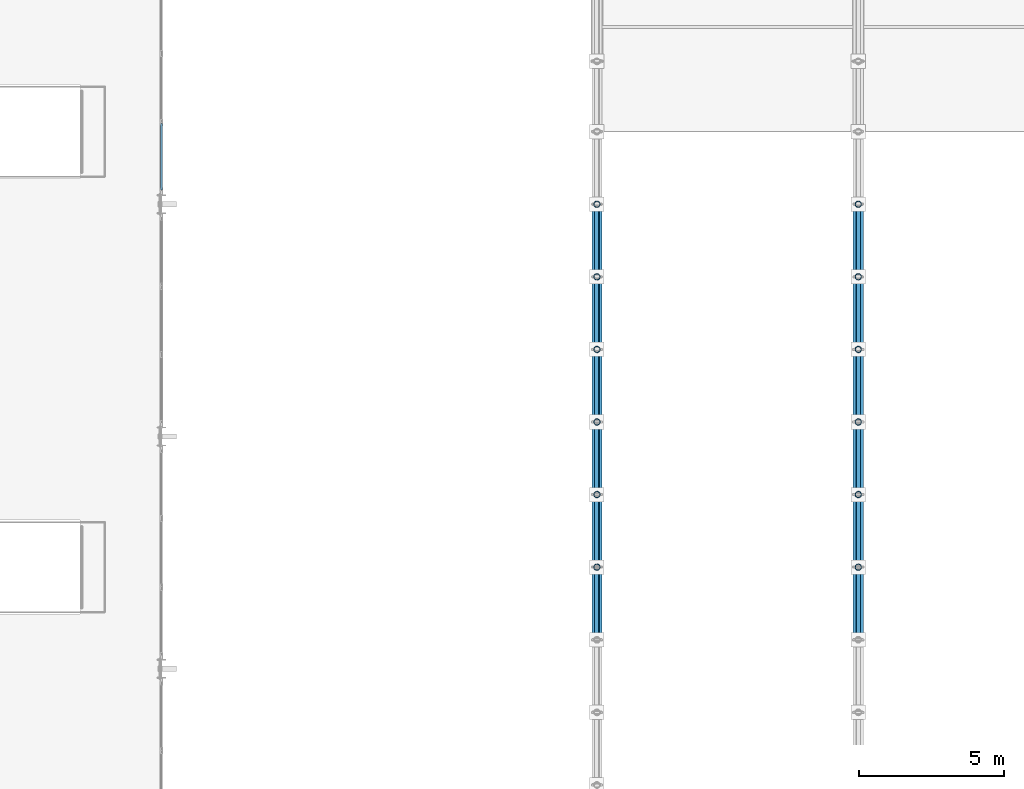
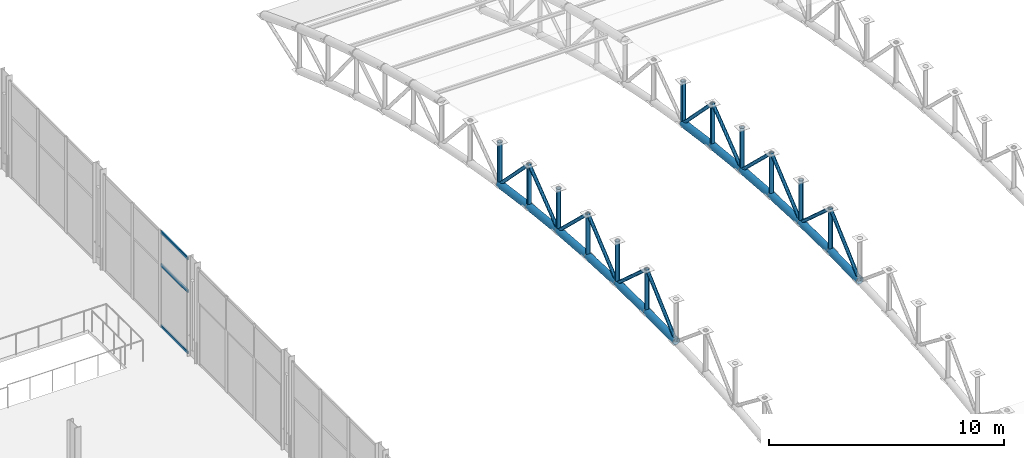
# One storey, part 78 of 195: 39 members, 1 element without a shape of its own.
"""IFC4 building model written with IfcOpenShell, lengths in metres."""

from ifc_helpers import new_model, si_unit, direction, frame, origin, origin_2d, place, context, subcontext, project, spatial, hollow_rectangle, hollow_circle, extrude, material, layer, layer_set, material_profile, profile_set, type_object, element, aggregate, save


model = new_model("IFC4")

# Units and contexts
model_context = context("Model", 3, precision=1e-05, world=origin(), true_north=direction((0.0, 1.0)))
body_context = subcontext(model_context, "Body", "Model", "MODEL_VIEW")
ifc_project = project(units=[si_unit("LENGTHUNIT", "METRE"), si_unit("AREAUNIT", "SQUARE_METRE"), si_unit("VOLUMEUNIT", "CUBIC_METRE"), si_unit("PLANEANGLEUNIT", "RADIAN"), si_unit("MASSUNIT", "GRAM", prefix="KILO")], contexts=[model_context])

# Site, building, storey
site_placement = place(None, origin())
site = spatial("IfcSite", under=ifc_project, at=site_placement, CompositionType="ELEMENT")
building_placement = place(site_placement, origin())
building = spatial("IfcBuilding", under=site, at=building_placement, Name="Marlcrest Central Station", CompositionType="ELEMENT")
storey_placement = place(building_placement, frame((0.0, 0.0, 9.800048828125)))
storey = spatial("IfcBuildingStorey", under=building, at=storey_placement, Name="L02", CompositionType="ELEMENT", Elevation=9.800048828125)

# Members
ifc_material_1 = material(Name="Steel S355", Category="steel")
ifc_material_profile_1 = material_profile(ifc_material_1, hollow_circle(Radius=0.177734375, WallThickness=0.01611328125, at=origin_2d()), Name="CHS 355.6x16")
ifc_profile_set_1 = profile_set([ifc_material_profile_1], Name="Steel S355")
member_type_1 = type_object("IfcMemberType", Name="AC-02", PredefinedType="CHORD", material=ifc_profile_set_1)
for number, where, z_axis, x_axis, name in (
    (1, (144.0, 63.5, 4.76123046875), (0.0, 0.999879472592, 0.01552547228), (-1.0, 0.0, 0.0), "mem-AC-02-L02-01137"),
    (2, (144.0, 66.0, 4.800048828125), (0.0, 0.999879472592, -0.01552547228), (-1.0, 0.0, 0.0), "mem-AC-02-L02-01141"),
):
    element("IfcMember", number, at=place(storey_placement, frame(where, z_axis=z_axis, x_axis=x_axis)), inside=storey, type_object=member_type_1, Name=name, PredefinedType="CHORD", context=body_context, shape_type="SweptSolid", body=[
        extrude(hollow_circle(Radius=0.177734375, WallThickness=0.01611328125, at=origin_2d()), origin(), (0.0, 0.0, 1.0), 2.500244140625),
    ])
member_1_placement = place(storey_placement, frame((144.0, 68.5, 4.76123046875), z_axis=(0.0, 0.998916819647, -0.046531574509), x_axis=(-1.0, 0.0, 0.0)))
element("IfcMember", 3, at=member_1_placement, inside=storey, type_object=member_type_1, Name="mem-AC-02-L02-01145", PredefinedType="CHORD", context=body_context, shape_type="SweptSolid", body=[
    extrude(hollow_circle(Radius=0.177734375, WallThickness=0.01611328125, at=origin_2d()), origin(), (0.0, 0.0, 1.0), 2.502685546875),
])
member_2_placement = place(storey_placement, frame((144.0, 71.0, 4.644775390625), z_axis=(0.0, 0.997007334767, -0.077307014043), x_axis=(-1.0, 0.0, 0.0)))
element("IfcMember", 4, at=member_2_placement, inside=storey, type_object=member_type_1, Name="mem-AC-02-L02-01149", PredefinedType="CHORD", context=body_context, shape_type="SweptSolid", body=[
    extrude(hollow_circle(Radius=0.177734375, WallThickness=0.01611328125, at=origin_2d()), origin(), (0.0, 0.0, 1.0), 2.507568359375),
])
member_3_placement = place(storey_placement, frame((144.0, 73.5, 4.450927734375), z_axis=(0.0, 0.994155341034, -0.107959056565), x_axis=(-1.0, 0.0, 0.0)))
element("IfcMember", 5, at=member_3_placement, inside=storey, type_object=member_type_1, Name="mem-AC-02-L02-01153", PredefinedType="CHORD", context=body_context, shape_type="SweptSolid", body=[
    extrude(hollow_circle(Radius=0.177734375, WallThickness=0.01611328125, at=origin_2d()), origin(), (0.0, 0.0, 1.0), 2.5146484375),
])
member_4_placement = place(storey_placement, frame((144.0, 76.0, 4.179443359375), z_axis=(0.0, 0.990402740232, -0.138211476152), x_axis=(-1.0, 0.0, 0.0)))
element("IfcMember", 6, at=member_4_placement, inside=storey, type_object=member_type_1, Name="mem-AC-02-L02-01157", PredefinedType="CHORD", context=body_context, shape_type="SweptSolid", body=[
    extrude(hollow_circle(Radius=0.177734375, WallThickness=0.01611328125, at=origin_2d()), origin(), (0.0, 0.0, 1.0), 2.524169921875),
])
for number, where, z_axis, x_axis, name in (
    (7, (153.0, 63.5, 4.76123046875), (0.0, 0.999879472592, 0.01552547228), (-1.0, 0.0, 0.0), "mem-AC-02-L02-01253"),
    (8, (153.0, 66.0, 4.800048828125), (0.0, 0.999879472592, -0.01552547228), (-1.0, 0.0, 0.0), "mem-AC-02-L02-01257"),
):
    element("IfcMember", number, at=place(storey_placement, frame(where, z_axis=z_axis, x_axis=x_axis)), inside=storey, type_object=member_type_1, Name=name, PredefinedType="CHORD", context=body_context, shape_type="SweptSolid", body=[
        extrude(hollow_circle(Radius=0.177734375, WallThickness=0.01611328125, at=origin_2d()), origin(), (0.0, 0.0, 1.0), 2.500244140625),
    ])
member_5_placement = place(storey_placement, frame((153.0, 68.5, 4.76123046875), z_axis=(0.0, 0.998916819647, -0.046531574509), x_axis=(-1.0, 0.0, 0.0)))
element("IfcMember", 9, at=member_5_placement, inside=storey, type_object=member_type_1, Name="mem-AC-02-L02-01261", PredefinedType="CHORD", context=body_context, shape_type="SweptSolid", body=[
    extrude(hollow_circle(Radius=0.177734375, WallThickness=0.01611328125, at=origin_2d()), origin(), (0.0, 0.0, 1.0), 2.502685546875),
])
member_6_placement = place(storey_placement, frame((153.0, 71.0, 4.644775390625), z_axis=(0.0, 0.997007334767, -0.077307014043), x_axis=(-1.0, 0.0, 0.0)))
element("IfcMember", 10, at=member_6_placement, inside=storey, type_object=member_type_1, Name="mem-AC-02-L02-01265", PredefinedType="CHORD", context=body_context, shape_type="SweptSolid", body=[
    extrude(hollow_circle(Radius=0.177734375, WallThickness=0.01611328125, at=origin_2d()), origin(), (0.0, 0.0, 1.0), 2.507568359375),
])
member_7_placement = place(storey_placement, frame((153.0, 73.5, 4.450927734375), z_axis=(0.0, 0.994155341034, -0.107959056565), x_axis=(-1.0, 0.0, 0.0)))
element("IfcMember", 11, at=member_7_placement, inside=storey, type_object=member_type_1, Name="mem-AC-02-L02-01269", PredefinedType="CHORD", context=body_context, shape_type="SweptSolid", body=[
    extrude(hollow_circle(Radius=0.177734375, WallThickness=0.01611328125, at=origin_2d()), origin(), (0.0, 0.0, 1.0), 2.5146484375),
])
member_8_placement = place(storey_placement, frame((153.0, 76.0, 4.179443359375), z_axis=(0.0, 0.990402740232, -0.138211476152), x_axis=(-1.0, 0.0, 0.0)))
element("IfcMember", 12, at=member_8_placement, inside=storey, type_object=member_type_1, Name="mem-AC-02-L02-01273", PredefinedType="CHORD", context=body_context, shape_type="SweptSolid", body=[
    extrude(hollow_circle(Radius=0.177734375, WallThickness=0.01611328125, at=origin_2d()), origin(), (0.0, 0.0, 1.0), 2.524169921875),
])
ifc_material_profile_2 = material_profile(ifc_material_1, hollow_circle(Radius=0.084228515625, WallThickness=0.010009765625, at=origin_2d()), Name="CHS 168.3x10")
ifc_profile_set_2 = profile_set([ifc_material_profile_2], Name="Steel S355")
member_type_2 = type_object("IfcMemberType", Name="AD-01", PredefinedType="BRACE", material=ifc_profile_set_2)
for number, where, z_axis, x_axis, name in (
    (13, (144.0, 63.5, 4.76123046875), (0.0, 0.744955843007, 0.66711377738), (-1.0, 0.0, 0.0), "mem-AD-01-L02-01139"),
    (14, (144.0, 66.0, 7.0), (0.0, 0.744955843007, -0.66711377738), (-1.0, 0.0, 0.0), "mem-AD-01-L02-01143"),
):
    element("IfcMember", number, at=place(storey_placement, frame(where, z_axis=z_axis, x_axis=x_axis)), inside=storey, type_object=member_type_2, Name=name, PredefinedType="BRACE", context=body_context, shape_type="SweptSolid", body=[
        extrude(hollow_circle(Radius=0.084228515625, WallThickness=0.010009765625, at=origin_2d()), origin(), (0.0, 0.0, 1.0), 3.35595703125),
    ])
member_9_placement = place(storey_placement, frame((144.0, 68.5, 4.76123046875), z_axis=(0.0, 0.768159787854, 0.640258182552), x_axis=(-1.0, 0.0, 0.0)))
element("IfcMember", 15, at=member_9_placement, inside=storey, type_object=member_type_2, Name="mem-AD-01-L02-01147", PredefinedType="BRACE", context=body_context, shape_type="SweptSolid", body=[
    extrude(hollow_circle(Radius=0.084228515625, WallThickness=0.010009765625, at=origin_2d()), origin(), (0.0, 0.0, 1.0), 3.254638671875),
])
member_10_placement = place(storey_placement, frame((144.0, 71.0, 6.844970703125), z_axis=(0.0, 0.722246537655, -0.691635698071), x_axis=(-1.0, 0.0, 0.0)))
element("IfcMember", 16, at=member_10_placement, inside=storey, type_object=member_type_2, Name="mem-AD-01-L02-01151", PredefinedType="BRACE", context=body_context, shape_type="SweptSolid", body=[
    extrude(hollow_circle(Radius=0.084228515625, WallThickness=0.010009765625, at=origin_2d()), origin(), (0.0, 0.0, 1.0), 3.46142578125),
])
member_11_placement = place(storey_placement, frame((144.0, 73.5, 4.450927734375), z_axis=(0.0, 0.791798282026, 0.610782678684), x_axis=(-1.0, 0.0, 0.0)))
element("IfcMember", 17, at=member_11_placement, inside=storey, type_object=member_type_2, Name="mem-AD-01-L02-01155", PredefinedType="BRACE", context=body_context, shape_type="SweptSolid", body=[
    extrude(hollow_circle(Radius=0.084228515625, WallThickness=0.010009765625, at=origin_2d()), origin(), (0.0, 0.0, 1.0), 3.157470703125),
])
member_12_placement = place(storey_placement, frame((144.0, 76.0, 6.37939453125), z_axis=(0.0, 0.70023547796, -0.713911952139), x_axis=(-1.0, 0.0, 0.0)))
element("IfcMember", 18, at=member_12_placement, inside=storey, type_object=member_type_2, Name="mem-AD-01-L02-01159", PredefinedType="BRACE", context=body_context, shape_type="SweptSolid", body=[
    extrude(hollow_circle(Radius=0.084228515625, WallThickness=0.010009765625, at=origin_2d()), origin(), (0.0, 0.0, 1.0), 3.5703125),
])
for number, where, z_axis, x_axis, name in (
    (19, (153.0, 63.5, 4.76123046875), (0.0, 0.744955843007, 0.66711377738), (-1.0, 0.0, 0.0), "mem-AD-01-L02-01255"),
    (20, (153.0, 66.0, 7.0), (0.0, 0.744955843007, -0.66711377738), (-1.0, 0.0, 0.0), "mem-AD-01-L02-01259"),
):
    element("IfcMember", number, at=place(storey_placement, frame(where, z_axis=z_axis, x_axis=x_axis)), inside=storey, type_object=member_type_2, Name=name, PredefinedType="BRACE", context=body_context, shape_type="SweptSolid", body=[
        extrude(hollow_circle(Radius=0.084228515625, WallThickness=0.010009765625, at=origin_2d()), origin(), (0.0, 0.0, 1.0), 3.35595703125),
    ])
member_13_placement = place(storey_placement, frame((153.0, 68.5, 4.76123046875), z_axis=(0.0, 0.768159787854, 0.640258182552), x_axis=(-1.0, 0.0, 0.0)))
element("IfcMember", 21, at=member_13_placement, inside=storey, type_object=member_type_2, Name="mem-AD-01-L02-01263", PredefinedType="BRACE", context=body_context, shape_type="SweptSolid", body=[
    extrude(hollow_circle(Radius=0.084228515625, WallThickness=0.010009765625, at=origin_2d()), origin(), (0.0, 0.0, 1.0), 3.254638671875),
])
member_14_placement = place(storey_placement, frame((153.0, 71.0, 6.844970703125), z_axis=(0.0, 0.722246537655, -0.691635698071), x_axis=(-1.0, 0.0, 0.0)))
element("IfcMember", 22, at=member_14_placement, inside=storey, type_object=member_type_2, Name="mem-AD-01-L02-01267", PredefinedType="BRACE", context=body_context, shape_type="SweptSolid", body=[
    extrude(hollow_circle(Radius=0.084228515625, WallThickness=0.010009765625, at=origin_2d()), origin(), (0.0, 0.0, 1.0), 3.46142578125),
])
member_15_placement = place(storey_placement, frame((153.0, 73.5, 4.450927734375), z_axis=(0.0, 0.791798282026, 0.610782678684), x_axis=(-1.0, 0.0, 0.0)))
element("IfcMember", 23, at=member_15_placement, inside=storey, type_object=member_type_2, Name="mem-AD-01-L02-01271", PredefinedType="BRACE", context=body_context, shape_type="SweptSolid", body=[
    extrude(hollow_circle(Radius=0.084228515625, WallThickness=0.010009765625, at=origin_2d()), origin(), (0.0, 0.0, 1.0), 3.157470703125),
])
member_16_placement = place(storey_placement, frame((153.0, 76.0, 6.37939453125), z_axis=(0.0, 0.70023547796, -0.713911952139), x_axis=(-1.0, 0.0, 0.0)))
element("IfcMember", 24, at=member_16_placement, inside=storey, type_object=member_type_2, Name="mem-AD-01-L02-01275", PredefinedType="BRACE", context=body_context, shape_type="SweptSolid", body=[
    extrude(hollow_circle(Radius=0.084228515625, WallThickness=0.010009765625, at=origin_2d()), origin(), (0.0, 0.0, 1.0), 3.5703125),
])
ifc_material_profile_3 = material_profile(ifc_material_1, hollow_circle(Radius=0.109619140625, WallThickness=0.012451171875, at=origin_2d()), Name="CHS 219.1x12.5")
ifc_profile_set_3 = profile_set([ifc_material_profile_3], Name="Steel S355")
member_type_3 = type_object("IfcMemberType", Name="AP-01", PredefinedType="POST", material=ifc_profile_set_3)
for number, where, z_axis, x_axis, name in (
    (25, (144.0, 66.0, 4.800048828125), (0.0, 0.0, 1.0), (1.0, 0.0, 0.0), "mem-AP-01-L02-01142"),
    (26, (144.0, 68.5, 4.76123046875), (0.0, 0.0, 1.0), (1.0, 0.0, 0.0), "mem-AP-01-L02-01146"),
):
    element("IfcMember", number, at=place(storey_placement, frame(where, z_axis=z_axis, x_axis=x_axis)), inside=storey, type_object=member_type_3, Name=name, PredefinedType="POST", context=body_context, shape_type="SweptSolid", body=[
        extrude(hollow_circle(Radius=0.109619140625, WallThickness=0.012451171875, at=origin_2d()), origin(), (0.0, 0.0, 1.0), 2.199951171875),
    ])
member_17_placement = place(storey_placement, frame((144.0, 71.0, 4.644775390625), z_axis=(0.0, 0.0, 1.0), x_axis=(1.0, 0.0, 0.0)))
element("IfcMember", 27, at=member_17_placement, inside=storey, type_object=member_type_3, Name="mem-AP-01-L02-01150", PredefinedType="POST", context=body_context, shape_type="SweptSolid", body=[
    extrude(hollow_circle(Radius=0.109619140625, WallThickness=0.012451171875, at=origin_2d()), origin(), (0.0, 0.0, 1.0), 2.2001953125),
])
for number, where, z_axis, x_axis, name in (
    (28, (144.0, 73.5, 4.450927734375), (0.0, 0.0, 1.0), (1.0, 0.0, 0.0), "mem-AP-01-L02-01154"),
    (29, (144.0, 76.0, 4.179443359375), (0.0, 0.0, 1.0), (1.0, 0.0, 0.0), "mem-AP-01-L02-01158"),
    (30, (144.0, 78.5, 3.83056640625), (0.0, 0.0, 1.0), (1.0, 0.0, 0.0), "mem-AP-01-L02-01162"),
    (31, (153.0, 66.0, 4.800048828125), (0.0, 0.0, 1.0), (1.0, 0.0, 0.0), "mem-AP-01-L02-01258"),
    (32, (153.0, 68.5, 4.76123046875), (0.0, 0.0, 1.0), (1.0, 0.0, 0.0), "mem-AP-01-L02-01262"),
):
    element("IfcMember", number, at=place(storey_placement, frame(where, z_axis=z_axis, x_axis=x_axis)), inside=storey, type_object=member_type_3, Name=name, PredefinedType="POST", context=body_context, shape_type="SweptSolid", body=[
        extrude(hollow_circle(Radius=0.109619140625, WallThickness=0.012451171875, at=origin_2d()), origin(), (0.0, 0.0, 1.0), 2.199951171875),
    ])
member_18_placement = place(storey_placement, frame((153.0, 71.0, 4.644775390625), z_axis=(0.0, 0.0, 1.0), x_axis=(1.0, 0.0, 0.0)))
element("IfcMember", 33, at=member_18_placement, inside=storey, type_object=member_type_3, Name="mem-AP-01-L02-01266", PredefinedType="POST", context=body_context, shape_type="SweptSolid", body=[
    extrude(hollow_circle(Radius=0.109619140625, WallThickness=0.012451171875, at=origin_2d()), origin(), (0.0, 0.0, 1.0), 2.2001953125),
])
for number, where, z_axis, x_axis, name in (
    (34, (153.0, 73.5, 4.450927734375), (0.0, 0.0, 1.0), (1.0, 0.0, 0.0), "mem-AP-01-L02-01270"),
    (35, (153.0, 76.0, 4.179443359375), (0.0, 0.0, 1.0), (1.0, 0.0, 0.0), "mem-AP-01-L02-01274"),
    (36, (153.0, 78.5, 3.83056640625), (0.0, 0.0, 1.0), (1.0, 0.0, 0.0), "mem-AP-01-L02-01278"),
):
    element("IfcMember", number, at=place(storey_placement, frame(where, z_axis=z_axis, x_axis=x_axis)), inside=storey, type_object=member_type_3, Name=name, PredefinedType="POST", context=body_context, shape_type="SweptSolid", body=[
        extrude(hollow_circle(Radius=0.109619140625, WallThickness=0.012451171875, at=origin_2d()), origin(), (0.0, 0.0, 1.0), 2.199951171875),
    ])

# Curtain wall, members
ifc_material_2 = material(Name="Anodised aluminium and hurricane laminated glass", Category="aluminium")
ifc_layer = layer(ifc_material_2, 0.219970703125, Name="CW-U1")
ifc_layer_set = layer_set([ifc_layer], Name="Anodised aluminium and hurricane laminated glass")
curtain_wall_type = type_object("IfcCurtainWallType", Name="CW-U1", PredefinedType="USERDEFINED", material=ifc_layer_set)
curtain_wall_placement = place(storey_placement, origin())
curtain_wall = element("IfcCurtainWall", 37, at=curtain_wall_placement, inside=storey, type_object=curtain_wall_type, Name="cw-L02-0128", ObjectType="UNITISED_CURTAIN_WALL", PredefinedType="USERDEFINED")
ifc_material_3 = material(Name="Anodised aluminium 6063-T6", Category="aluminium")
ifc_material_profile_4 = material_profile(ifc_material_3, hollow_rectangle(XDim=0.06005859375, YDim=0.14990234375, WallThickness=0.00390625, at=origin_2d()), Name="AA-RHS 150x60x4")
ifc_profile_set_4 = profile_set([ifc_material_profile_4], Name="Anodised aluminium 6063-T6")
member_type_4 = type_object("IfcMemberType", Name="TR-01", PredefinedType="USERDEFINED", material=ifc_profile_set_4)
member_19_placement = place(storey_placement, frame((129.0, 81.27880859375, 0.0400390625), z_axis=(0.0, -1.0, 0.0), x_axis=(1.0, 0.0, 0.0)))
member_19 = element("IfcMember", 38, at=member_19_placement, type_object=member_type_4, Name="cw-L02-0128-tr-2-sill", ObjectType="TRANSOM", PredefinedType="USERDEFINED", context=body_context, shape_type="SweptSolid", body=[
    extrude(hollow_rectangle(XDim=0.06005859375, YDim=0.14990234375, WallThickness=0.00390625, at=origin_2d()), origin(), (0.0, 0.0, 1.0), 2.290771484375),
])
member_20_placement = place(storey_placement, frame((129.0, 81.27880859375, 3.218017578125), z_axis=(0.0, -1.0, 0.0), x_axis=(1.0, 0.0, 0.0)))
member_20 = element("IfcMember", 39, at=member_20_placement, type_object=member_type_4, Name="cw-L02-0128-tr-2-mid", ObjectType="TRANSOM", PredefinedType="USERDEFINED", context=body_context, shape_type="SweptSolid", body=[
    extrude(hollow_rectangle(XDim=0.06005859375, YDim=0.14990234375, WallThickness=0.00390625, at=origin_2d()), origin(), (0.0, 0.0, 1.0), 2.290771484375),
])
member_21_placement = place(storey_placement, frame((129.0, 81.27880859375, 4.909912109375), z_axis=(0.0, -1.0, 0.0), x_axis=(1.0, 0.0, 0.0)))
member_21 = element("IfcMember", 40, at=member_21_placement, type_object=member_type_4, Name="cw-L02-0128-tr-2-head", ObjectType="TRANSOM", PredefinedType="USERDEFINED", context=body_context, shape_type="SweptSolid", body=[
    extrude(hollow_rectangle(XDim=0.06005859375, YDim=0.14990234375, WallThickness=0.00390625, at=origin_2d()), origin(), (0.0, 0.0, 1.0), 2.290771484375),
])
aggregate(curtain_wall, [member_19, member_20, member_21])

save(model, "model.ifc")
